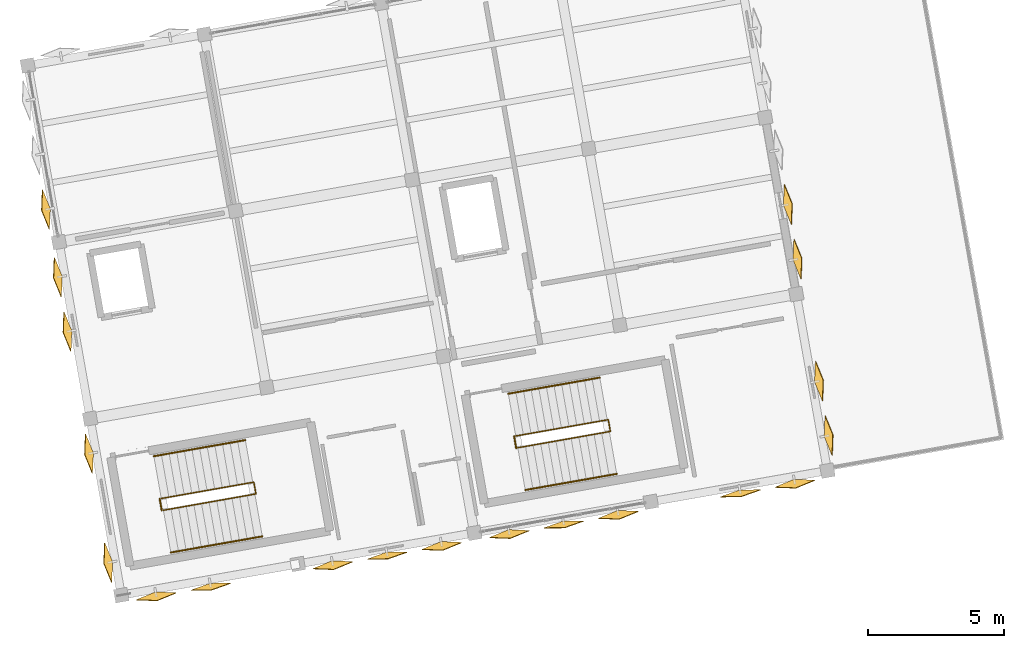
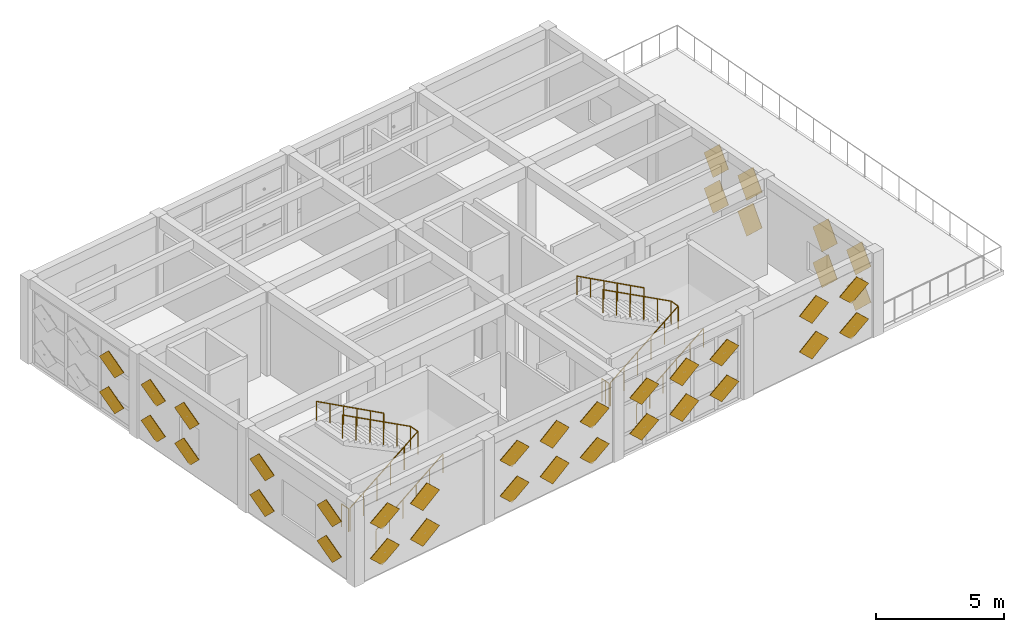
# One storey, part 12 of 13: 38 coverings, 8 railings.
"""IFC4 building model written with IfcOpenShell, lengths in metres."""

from ifc_helpers import new_model, si_unit, direction, frame, origin, origin_2d, place, context, subcontext, project, spatial, polyline, circle, outline, extrude, material, type_object, element, save


model = new_model("IFC4")

# Units and contexts
model_context = context("Model", 3, precision=1e-05, world=origin(), true_north=direction((0.0, 1.0)))
body_context = subcontext(model_context, "Body", "Model", "MODEL_VIEW")
ifc_project = project(units=[si_unit("LENGTHUNIT", "METRE"), si_unit("AREAUNIT", "SQUARE_METRE"), si_unit("VOLUMEUNIT", "CUBIC_METRE"), si_unit("PLANEANGLEUNIT", "RADIAN"), si_unit("MASSUNIT", "GRAM", prefix="KILO")], contexts=[model_context])

# Site, building, storey
site_placement = place(None, origin())
site = spatial("IfcSite", under=ifc_project, at=site_placement, CompositionType="ELEMENT")
building_placement = place(site_placement, origin())
building = spatial("IfcBuilding", under=site, at=building_placement, Name="Kharisveld Research Institute", CompositionType="ELEMENT")
storey_placement = place(building_placement, frame((0.0, 0.0, 45.0)))
storey = spatial("IfcBuildingStorey", under=building, at=storey_placement, Name="L10", CompositionType="ELEMENT", Elevation=45.0)

# Railings
ifc_material_1 = material(Name="Steel S355JR", Category="steel")
railing_type_1 = type_object("IfcRailingType", Name="RL_GRD_STR", PredefinedType="GUARDRAIL", material=ifc_material_1)
railing_1_placement = place(storey_placement, frame((6.75048828125, 38.13671875, 0.0)))
element("IfcRailing", 1, at=railing_1_placement, inside=storey, type_object=railing_type_1, Name="RLG:ST1:L10:GRD_SLOT", PredefinedType="GUARDRAIL", context=body_context, shape_type="SweptSolid", body=[
    extrude(circle(Radius=0.02392578125, at=origin_2d()), frame((0.0, 0.0, 1.09619140625), z_axis=(0.841870276676, 0.14844470523, 0.518862801459), x_axis=(-0.173648473997, 0.984807700761, 0.0)), (0.0, 0.0, 1.0), 4.047607421875),
    extrude(circle(Radius=0.02392578125, at=origin_2d()), frame((3.407470703125, 0.600830078125, 3.1962890625), z_axis=(-0.173658729201, 0.984805892434, 0.0), x_axis=(-0.984805892434, -0.173658729201, 0.0)), (0.0, 0.0, 1.0), 0.43994140625),
    extrude(circle(Radius=0.02392578125, at=origin_2d()), frame((3.3310546875, 1.0341796875, 3.1962890625), z_axis=(-0.841879057226, -0.148456890215, 0.518845068157), x_axis=(0.173660541335, -0.984805572884, 0.0)), (0.0, 0.0, 1.0), 4.047119140625),
    extrude(circle(Radius=0.02099609375, at=origin_2d()), origin(), (0.0, 0.0, 1.0), 1.072021484375),
    extrude(circle(Radius=0.02099609375, at=origin_2d()), frame((0.681396484375, 0.1201171875, 0.419921875)), (0.0, 0.0, 1.0), 1.072021484375),
    extrude(circle(Radius=0.02099609375, at=origin_2d()), frame((1.363037109375, 0.240234375, 0.840087890625)), (0.0, 0.0, 1.0), 1.072021484375),
    extrude(circle(Radius=0.02099609375, at=origin_2d()), frame((2.04443359375, 0.360595703125, 1.260009765625)), (0.0, 0.0, 1.0), 1.072021484375),
    extrude(circle(Radius=0.02099609375, at=origin_2d()), frame((2.72607421875, 0.480712890625, 1.68017578125)), (0.0, 0.0, 1.0), 1.072021484375),
    extrude(circle(Radius=0.02099609375, at=origin_2d()), frame((3.407470703125, 0.600830078125, 2.10009765625)), (0.0, 0.0, 1.0), 1.072021484375),
    extrude(circle(Radius=0.02099609375, at=origin_2d()), frame((3.3310546875, 1.0341796875, 2.10009765625)), (0.0, 0.0, 1.0), 1.072021484375),
    extrude(circle(Radius=0.02099609375, at=origin_2d()), frame((2.649658203125, 0.9140625, 2.52001953125)), (0.0, 0.0, 1.0), 1.072021484375),
    extrude(circle(Radius=0.02099609375, at=origin_2d()), frame((1.96826171875, 0.7939453125, 2.93994140625)), (0.0, 0.0, 1.0), 1.072021484375),
    extrude(circle(Radius=0.02099609375, at=origin_2d()), frame((1.28662109375, 0.673583984375, 3.360107421875)), (0.0, 0.0, 1.0), 1.072021484375),
    extrude(circle(Radius=0.02099609375, at=origin_2d()), frame((0.605224609375, 0.553466796875, 3.780029296875)), (0.0, 0.0, 1.0), 1.072021484375),
    extrude(circle(Radius=0.02099609375, at=origin_2d()), frame((-0.076171875, 0.433349609375, 4.199951171875)), (0.0, 0.0, 1.0), 1.072021484375),
])
railing_2_placement = place(storey_placement, frame((6.69140625, 38.12646484375, 0.0)))
element("IfcRailing", 2, at=railing_2_placement, inside=storey, type_object=railing_type_1, Name="RLG:ST1:L10:GRD_FLRSLOT", PredefinedType="GUARDRAIL", context=body_context, shape_type="SweptSolid", body=[
    extrude(circle(Radius=0.02392578125, at=origin_2d()), frame((0.0, 0.0, 1.09619140625), z_axis=(-0.173753665698, 0.984789146801, 0.0), x_axis=(-0.984789146801, -0.173753665698, 0.0)), (0.0, 0.0, 1.0), 0.439697265625),
    extrude(circle(Radius=0.02099609375, at=origin_2d()), origin(), (0.0, 0.0, 1.0), 1.072021484375),
    extrude(circle(Radius=0.02099609375, at=origin_2d()), frame((-0.076416015625, 0.43310546875, 0.0)), (0.0, 0.0, 1.0), 1.072021484375),
])
railing_3_placement = place(storey_placement, frame((19.79931640625, 40.4375, 0.0)))
element("IfcRailing", 3, at=railing_3_placement, inside=storey, type_object=railing_type_1, Name="RLG:ST2:L10:GRD_SLOT", PredefinedType="GUARDRAIL", context=body_context, shape_type="SweptSolid", body=[
    extrude(circle(Radius=0.02392578125, at=origin_2d()), frame((0.0, 0.0, 1.09619140625), z_axis=(0.841870276676, 0.14844470523, 0.518862801459), x_axis=(-0.173648473997, 0.984807700761, 0.0)), (0.0, 0.0, 1.0), 4.047607421875),
    extrude(circle(Radius=0.02392578125, at=origin_2d()), frame((3.407470703125, 0.600830078125, 3.1962890625), z_axis=(-0.173658729201, 0.984805892434, 0.0), x_axis=(-0.984805892434, -0.173658729201, 0.0)), (0.0, 0.0, 1.0), 0.43994140625),
    extrude(circle(Radius=0.02392578125, at=origin_2d()), frame((3.3310546875, 1.0341796875, 3.1962890625), z_axis=(-0.841896624573, -0.148449351084, 0.518818719492), x_axis=(0.173648473997, -0.984807700761, 0.0)), (0.0, 0.0, 1.0), 4.04736328125),
    extrude(circle(Radius=0.02099609375, at=origin_2d()), origin(), (0.0, 0.0, 1.0), 1.072021484375),
    extrude(circle(Radius=0.02099609375, at=origin_2d()), frame((0.681396484375, 0.1201171875, 0.419921875)), (0.0, 0.0, 1.0), 1.072021484375),
    extrude(circle(Radius=0.02099609375, at=origin_2d()), frame((1.363037109375, 0.240234375, 0.840087890625)), (0.0, 0.0, 1.0), 1.072021484375),
    extrude(circle(Radius=0.02099609375, at=origin_2d()), frame((2.04443359375, 0.360595703125, 1.260009765625)), (0.0, 0.0, 1.0), 1.072021484375),
    extrude(circle(Radius=0.02099609375, at=origin_2d()), frame((2.72607421875, 0.480712890625, 1.68017578125)), (0.0, 0.0, 1.0), 1.072021484375),
    extrude(circle(Radius=0.02099609375, at=origin_2d()), frame((3.407470703125, 0.600830078125, 2.10009765625)), (0.0, 0.0, 1.0), 1.072021484375),
    extrude(circle(Radius=0.02099609375, at=origin_2d()), frame((3.3310546875, 1.0341796875, 2.10009765625)), (0.0, 0.0, 1.0), 1.072021484375),
    extrude(circle(Radius=0.02099609375, at=origin_2d()), frame((2.649658203125, 0.9140625, 2.52001953125)), (0.0, 0.0, 1.0), 1.072021484375),
    extrude(circle(Radius=0.02099609375, at=origin_2d()), frame((1.968017578125, 0.7939453125, 2.93994140625)), (0.0, 0.0, 1.0), 1.072021484375),
    extrude(circle(Radius=0.02099609375, at=origin_2d()), frame((1.28662109375, 0.673583984375, 3.360107421875)), (0.0, 0.0, 1.0), 1.072021484375),
    extrude(circle(Radius=0.02099609375, at=origin_2d()), frame((0.60498046875, 0.553466796875, 3.780029296875)), (0.0, 0.0, 1.0), 1.072021484375),
    extrude(circle(Radius=0.02099609375, at=origin_2d()), frame((-0.076416015625, 0.433349609375, 4.199951171875)), (0.0, 0.0, 1.0), 1.072021484375),
])
railing_4_placement = place(storey_placement, frame((19.740234375, 40.42724609375, 0.0)))
element("IfcRailing", 4, at=railing_4_placement, inside=storey, type_object=railing_type_1, Name="RLG:ST2:L10:GRD_FLRSLOT", PredefinedType="GUARDRAIL", context=body_context, shape_type="SweptSolid", body=[
    extrude(circle(Radius=0.02392578125, at=origin_2d()), frame((0.0, 0.0, 1.09619140625), z_axis=(-0.173658729201, 0.984805892434, 0.0), x_axis=(-0.984805892434, -0.173658729201, 0.0)), (0.0, 0.0, 1.0), 0.43994140625),
    extrude(circle(Radius=0.02099609375, at=origin_2d()), origin(), (0.0, 0.0, 1.0), 1.072021484375),
    extrude(circle(Radius=0.02099609375, at=origin_2d()), frame((-0.0380859375, 0.216796875, 0.0)), (0.0, 0.0, 1.0), 1.072021484375),
    extrude(circle(Radius=0.02099609375, at=origin_2d()), frame((-0.076416015625, 0.433349609375, 0.0)), (0.0, 0.0, 1.0), 1.072021484375),
])
ifc_material_2 = material(Name="Stainless Steel 316", Category="steel")
railing_type_2 = type_object("IfcRailingType", Name="RL_HND_STR", PredefinedType="HANDRAIL", material=ifc_material_2)
railing_5_placement = place(storey_placement, frame((7.02490234375, 36.580810546875, 0.0)))
element("IfcRailing", 5, at=railing_5_placement, inside=storey, type_object=railing_type_2, Name="RLG:ST1:L10:HR1", PredefinedType="HANDRAIL", context=body_context, shape_type="SweptSolid", body=[
    extrude(circle(Radius=0.02392578125, at=origin_2d()), frame((0.0, 0.0, 0.89599609375), z_axis=(0.839227022115, 0.147941440837, 0.523269849538), x_axis=(-0.173606152129, 0.984815162324, 0.0)), (0.0, 0.0, 1.0), 4.013427734375),
    extrude(circle(Radius=0.02099609375, at=origin_2d()), origin(), (0.0, 0.0, 1.0), 0.871826171875),
    extrude(circle(Radius=0.02099609375, at=origin_2d()), frame((0.673583984375, 0.11865234375, 0.419921875)), (0.0, 0.0, 1.0), 0.871826171875),
    extrude(circle(Radius=0.02099609375, at=origin_2d()), frame((1.34716796875, 0.237548828125, 0.840087890625)), (0.0, 0.0, 1.0), 0.871826171875),
    extrude(circle(Radius=0.02099609375, at=origin_2d()), frame((2.02099609375, 0.356201171875, 1.260009765625)), (0.0, 0.0, 1.0), 0.871826171875),
    extrude(circle(Radius=0.02099609375, at=origin_2d()), frame((2.694580078125, 0.47509765625, 1.68017578125)), (0.0, 0.0, 1.0), 0.871826171875),
    extrude(circle(Radius=0.02099609375, at=origin_2d()), frame((3.3681640625, 0.59375, 2.10009765625)), (0.0, 0.0, 1.0), 0.871826171875),
])
railing_6_placement = place(storey_placement, frame((9.767822265625, 40.719970703125, 2.10009765625)))
element("IfcRailing", 6, at=railing_6_placement, inside=storey, type_object=railing_type_2, Name="RLG:ST1:L10:HR2", PredefinedType="HANDRAIL", context=body_context, shape_type="SweptSolid", body=[
    extrude(circle(Radius=0.02392578125, at=origin_2d()), frame((0.0, 0.0, 0.89599609375), z_axis=(-0.839228193129, -0.148013207241, 0.523247675905), x_axis=(0.173687593446, -0.984800802134, 0.0)), (0.0, 0.0, 1.0), 4.01318359375),
    extrude(circle(Radius=0.02099609375, at=origin_2d()), origin(), (0.0, 0.0, 1.0), 0.871826171875),
    extrude(circle(Radius=0.02099609375, at=origin_2d()), frame((-0.673583984375, -0.118896484375, 0.419921875)), (0.0, 0.0, 1.0), 0.871826171875),
    extrude(circle(Radius=0.02099609375, at=origin_2d()), frame((-1.34716796875, -0.237548828125, 0.83984375)), (0.0, 0.0, 1.0), 0.871826171875),
    extrude(circle(Radius=0.02099609375, at=origin_2d()), frame((-2.020751953125, -0.3564453125, 1.260009765625)), (0.0, 0.0, 1.0), 0.871826171875),
    extrude(circle(Radius=0.02099609375, at=origin_2d()), frame((-2.6943359375, -0.47509765625, 1.679931640625)), (0.0, 0.0, 1.0), 0.871826171875),
    extrude(circle(Radius=0.02099609375, at=origin_2d()), frame((-3.367919921875, -0.593994140625, 2.099853515625)), (0.0, 0.0, 1.0), 0.871826171875),
])
railing_7_placement = place(storey_placement, frame((20.07373046875, 38.881591796875, 0.0)))
element("IfcRailing", 7, at=railing_7_placement, inside=storey, type_object=railing_type_2, Name="RLG:ST2:L10:HR1", PredefinedType="HANDRAIL", context=body_context, shape_type="SweptSolid", body=[
    extrude(circle(Radius=0.02392578125, at=origin_2d()), frame((0.0, 0.0, 0.89599609375), z_axis=(0.839201478433, 0.148008495616, 0.523291853387), x_axis=(-0.173687593446, 0.984800802134, 0.0)), (0.0, 0.0, 1.0), 4.01318359375),
    extrude(circle(Radius=0.02099609375, at=origin_2d()), origin(), (0.0, 0.0, 1.0), 0.871826171875),
    extrude(circle(Radius=0.02099609375, at=origin_2d()), frame((0.673583984375, 0.118896484375, 0.419921875)), (0.0, 0.0, 1.0), 0.871826171875),
    extrude(circle(Radius=0.02099609375, at=origin_2d()), frame((1.34716796875, 0.237548828125, 0.840087890625)), (0.0, 0.0, 1.0), 0.871826171875),
    extrude(circle(Radius=0.02099609375, at=origin_2d()), frame((2.020751953125, 0.3564453125, 1.260009765625)), (0.0, 0.0, 1.0), 0.871826171875),
    extrude(circle(Radius=0.02099609375, at=origin_2d()), frame((2.6943359375, 0.47509765625, 1.68017578125)), (0.0, 0.0, 1.0), 0.871826171875),
    extrude(circle(Radius=0.02099609375, at=origin_2d()), frame((3.367919921875, 0.593994140625, 2.10009765625)), (0.0, 0.0, 1.0), 0.871826171875),
])
railing_8_placement = place(storey_placement, frame((22.816650390625, 43.020751953125, 2.10009765625)))
element("IfcRailing", 8, at=railing_8_placement, inside=storey, type_object=railing_type_2, Name="RLG:ST2:L10:HR2", PredefinedType="HANDRAIL", context=body_context, shape_type="SweptSolid", body=[
    extrude(circle(Radius=0.02392578125, at=origin_2d()), frame((0.0, 0.0, 0.89599609375), z_axis=(-0.839253735377, -0.14794614993, 0.523225672512), x_axis=(0.173606152129, -0.984815162324, 0.0)), (0.0, 0.0, 1.0), 4.01318359375),
    extrude(circle(Radius=0.02099609375, at=origin_2d()), origin(), (0.0, 0.0, 1.0), 0.871826171875),
    extrude(circle(Radius=0.02099609375, at=origin_2d()), frame((-0.673583984375, -0.11865234375, 0.419921875)), (0.0, 0.0, 1.0), 0.871826171875),
    extrude(circle(Radius=0.02099609375, at=origin_2d()), frame((-1.34716796875, -0.237548828125, 0.83984375)), (0.0, 0.0, 1.0), 0.871826171875),
    extrude(circle(Radius=0.02099609375, at=origin_2d()), frame((-2.02099609375, -0.356201171875, 1.260009765625)), (0.0, 0.0, 1.0), 0.871826171875),
    extrude(circle(Radius=0.02099609375, at=origin_2d()), frame((-2.694580078125, -0.47509765625, 1.679931640625)), (0.0, 0.0, 1.0), 0.871826171875),
    extrude(circle(Radius=0.02099609375, at=origin_2d()), frame((-3.3681640625, -0.59375, 2.099853515625)), (0.0, 0.0, 1.0), 0.871826171875),
])

# Coverings
ifc_material_3 = material(Name="White Powder-Coated Perforated Aluminium", Category="aluminium")
covering_type = type_object("IfcCoveringType", Name="CV_DIA_105", PredefinedType="CLADDING")
for number, where, z_axis, x_axis, name in (
    (9, (4.8828125, 36.23681640625, 0.3251953125), (0.961487125864, 0.169504241221, 0.216358080518), (-0.27342850239, 0.669853329409, 0.690313965642), "SHD:V1:L10:W0:S0C0"),
    (10, (4.8828125, 36.23681640625, 2.025146484375), (0.961487125864, 0.169504241221, 0.216358080518), (-0.27342850239, 0.669853329409, 0.690313965642), "SHD:V1:L10:W0:S0C1"),
):
    element("IfcCovering", number, at=place(storey_placement, frame(where, z_axis=z_axis, x_axis=x_axis)), inside=storey, type_object=covering_type, material=ifc_material_3, Name=name, PredefinedType="CLADDING", context=body_context, shape_type="SweptSolid", body=[
        extrude(outline(polyline([(0.0, 0.0), (1.0500345519602505, 0.0), (1.0499807392517624, 1.0499534878027108), (-5.381270848814346e-05, 1.049953487802711), (0.0, 0.0)])), origin(), (0.0, 0.0, -1.0), 0.02392578125),
    ])
for number, where, z_axis, x_axis, name in (
    (11, (4.175537109375, 40.248291015625, 0.3251953125), (0.961453431325, 0.169498301082, 0.216512413788), (-0.273535968092, 0.669834388355, 0.690289769834), "SHD:V1:L10:W0:S2C0"),
    (12, (4.175537109375, 40.248291015625, 2.025146484375), (0.961453431325, 0.169498301082, 0.216512413788), (-0.273535968092, 0.669834388355, 0.690289769834), "SHD:V1:L10:W0:S2C1"),
):
    element("IfcCovering", number, at=place(storey_placement, frame(where, z_axis=z_axis, x_axis=x_axis)), inside=storey, type_object=covering_type, material=ifc_material_3, Name=name, PredefinedType="CLADDING", context=body_context, shape_type="SweptSolid", body=[
        extrude(outline(polyline([(0.0, 0.0), (1.0500345454011688, 0.0), (1.0500475008163912, 1.049960323165551), (-5.3825826987430325e-05, 1.0499534812424507), (0.0, 0.0)])), origin(), (0.0, 0.0, -1.0), 0.02392578125),
    ])
for number, where, z_axis, x_axis, name in (
    (13, (3.383056640625, 44.742431640625, 0.3251953125), (0.961481187298, 0.169503194288, 0.216385289699), (-0.273452141042, 0.669728459805, 0.690425750307), "SHD:V1:L10:W1:S1C0"),
    (14, (3.383056640625, 44.742431640625, 2.025146484375), (0.961481187298, 0.169503194288, 0.216385289699), (-0.273452141042, 0.669728459805, 0.690425750307), "SHD:V1:L10:W1:S1C1"),
):
    element("IfcCovering", number, at=place(storey_placement, frame(where, z_axis=z_axis, x_axis=x_axis)), inside=storey, type_object=covering_type, material=ifc_material_3, Name=name, PredefinedType="CLADDING", context=body_context, shape_type="SweptSolid", body=[
        extrude(outline(polyline([(0.0, 0.0), (1.0498710289953155, -1.1102230246251565e-16), (1.0499937165082887, 1.0499534818098035), (-4.082041178410378e-05, 1.0501299960653954), (0.0, 0.0)])), origin(), (0.0, 0.0, -1.0), 0.02392578125),
    ])
for number, where, z_axis, x_axis, name in (
    (15, (3.029541015625, 46.748046875, 0.3251953125), (0.961453431325, 0.169498301082, 0.216512413788), (-0.273536150679, 0.669829678259, 0.690294267972), "SHD:V1:L10:W1:S2C0"),
    (16, (3.029541015625, 46.748046875, 2.025146484375), (0.961453431325, 0.169498301082, 0.216512413788), (-0.273536150679, 0.669829678259, 0.690294267972), "SHD:V1:L10:W1:S2C1"),
):
    element("IfcCovering", number, at=place(storey_placement, frame(where, z_axis=z_axis, x_axis=x_axis)), inside=storey, type_object=covering_type, material=ifc_material_3, Name=name, PredefinedType="CLADDING", context=body_context, shape_type="SweptSolid", body=[
        extrude(outline(polyline([(0.0, 0.0), (1.050101326665668, -1.1102230246251565e-16), (1.050054341798497, 1.049953481570866), (1.9796419616024963e-05, 1.0499603230588543), (0.0, 0.0)])), origin(), (0.0, 0.0, -1.0), 0.02392578125),
    ])
for number, where, z_axis, x_axis, name in (
    (17, (2.590576171875, 49.236328125, 0.3251953125), (0.961487125864, 0.169504241221, 0.216358080518), (-0.27342850239, 0.669853329409, 0.690313965642), "SHD:V1:L10:W2:S0C0"),
    (18, (2.590576171875, 49.236328125, 2.025146484375), (0.961487125864, 0.169504241221, 0.216358080518), (-0.27342850239, 0.669853329409, 0.690313965642), "SHD:V1:L10:W2:S0C1"),
):
    element("IfcCovering", number, at=place(storey_placement, frame(where, z_axis=z_axis, x_axis=x_axis)), inside=storey, type_object=covering_type, material=ifc_material_3, Name=name, PredefinedType="CLADDING", context=body_context, shape_type="SweptSolid", body=[
        extrude(outline(polyline([(0.0, 0.0), (1.0500345519602505, 0.0), (1.0499807392517624, 1.0499534878027108), (-5.381270848814346e-05, 1.049953487802711), (0.0, 0.0)])), origin(), (0.0, 0.0, -1.0), 0.02392578125),
    ])
for number, where, z_axis, x_axis, name in (
    (19, (29.57763671875, 49.361083984375, 0.3251953125), (-0.961481187298, -0.169503194288, 0.216385289699), (0.273452141042, -0.669728459805, 0.690425750307), "SHD:V1:L10:E2:S1C0"),
    (20, (29.57763671875, 49.361083984375, 2.025146484375), (-0.961481187298, -0.169503194288, 0.216385289699), (0.273452141042, -0.669728459805, 0.690425750307), "SHD:V1:L10:E2:S1C1"),
):
    element("IfcCovering", number, at=place(storey_placement, frame(where, z_axis=z_axis, x_axis=x_axis)), inside=storey, type_object=covering_type, material=ifc_material_3, Name=name, PredefinedType="CLADDING", context=body_context, shape_type="SweptSolid", body=[
        extrude(outline(polyline([(0.0, 0.0), (1.0498710289953155, -1.1102230246251565e-16), (1.0499937165082887, 1.0499534818098035), (-4.082041178410378e-05, 1.0501299960653954), (0.0, 0.0)])), origin(), (0.0, 0.0, -1.0), 0.02392578125),
    ])
for number, where, z_axis, x_axis, name in (
    (21, (29.93115234375, 47.35546875, 0.3251953125), (-0.961453431325, -0.169498301082, 0.216512413788), (0.273536150679, -0.669829678259, 0.690294267972), "SHD:V1:L10:E2:S2C0"),
    (22, (29.93115234375, 47.35546875, 2.025146484375), (-0.961453431325, -0.169498301082, 0.216512413788), (0.273536150679, -0.669829678259, 0.690294267972), "SHD:V1:L10:E2:S2C1"),
):
    element("IfcCovering", number, at=place(storey_placement, frame(where, z_axis=z_axis, x_axis=x_axis)), inside=storey, type_object=covering_type, material=ifc_material_3, Name=name, PredefinedType="CLADDING", context=body_context, shape_type="SweptSolid", body=[
        extrude(outline(polyline([(0.0, 0.0), (1.050101326665668, -1.1102230246251565e-16), (1.050054341798497, 1.049953481570866), (1.9796419616024963e-05, 1.0499603230588543), (0.0, 0.0)])), origin(), (0.0, 0.0, -1.0), 0.02392578125),
    ])
for number, where, z_axis, x_axis, name in (
    (23, (30.7236328125, 42.861328125, 0.3251953125), (-0.961447488939, -0.169497253476, 0.216539620108), (0.273559622879, -0.669709514325, 0.690401549211), "SHD:V1:L10:E1:S1C0"),
    (24, (30.7236328125, 42.861328125, 2.025146484375), (-0.961447488939, -0.169497253476, 0.216539620108), (0.273559622879, -0.669709514325, 0.690401549211), "SHD:V1:L10:E1:S1C1"),
):
    element("IfcCovering", number, at=place(storey_placement, frame(where, z_axis=z_axis, x_axis=x_axis)), inside=storey, type_object=covering_type, material=ifc_material_3, Name=name, PredefinedType="CLADDING", context=body_context, shape_type="SweptSolid", body=[
        extrude(outline(polyline([(0.0, 0.0), (1.0498710247482905, 1.1102230246251565e-16), (1.0500604861589913, 1.0499603082606803), (-4.0828905999434895e-05, 1.0501299918190874), (0.0, 0.0)])), origin(), (0.0, 0.0, -1.0), 0.02392578125),
    ])
for number, where, z_axis, x_axis, name in (
    (25, (31.077392578125, 40.855712890625, 0.3251953125), (-0.961481187298, -0.169503194288, 0.216385289699), (0.273447448775, -0.669849989418, 0.690309701826), "SHD:V1:L10:E1:S2C0"),
    (26, (31.077392578125, 40.855712890625, 2.025146484375), (-0.961481187298, -0.169503194288, 0.216385289699), (0.273447448775, -0.669849989418, 0.690309701826), "SHD:V1:L10:E1:S2C1"),
):
    element("IfcCovering", number, at=place(storey_placement, frame(where, z_axis=z_axis, x_axis=x_axis)), inside=storey, type_object=covering_type, material=ifc_material_3, Name=name, PredefinedType="CLADDING", context=body_context, shape_type="SweptSolid", body=[
        extrude(outline(polyline([(0.0, 0.0), (1.0500345517563856, -1.1102230246251565e-16), (1.0498172010450848, 1.0501299743656882), (-5.381311622809637e-05, 1.0499534875988095), (0.0, 0.0)])), origin(), (0.0, 0.0, -1.0), 0.02392578125),
    ])
for number, where, z_axis, x_axis, name in (
    (27, (29.971923828125, 39.277099609375, 0.3251953125), (-0.169503194288, 0.961481187298, 0.216385289699), (-0.669728459805, -0.273452141042, 0.690425750307), "SHD:V1:L10:S4:S0C0"),
    (28, (29.971923828125, 39.277099609375, 2.025146484375), (-0.169503194288, 0.961481187298, 0.216385289699), (-0.669728459805, -0.273452141042, 0.690425750307), "SHD:V1:L10:S4:S0C1"),
):
    element("IfcCovering", number, at=place(storey_placement, frame(where, z_axis=z_axis, x_axis=x_axis)), inside=storey, type_object=covering_type, material=ifc_material_3, Name=name, PredefinedType="CLADDING", context=body_context, shape_type="SweptSolid", body=[
        extrude(outline(polyline([(0.0, 0.0), (1.0498710289953155, -1.1102230246251565e-16), (1.0499937165082887, 1.0499534818098035), (-4.082041178410378e-05, 1.0501299960653954), (0.0, 0.0)])), origin(), (0.0, 0.0, -1.0), 0.02392578125),
    ])
covering_1_placement = place(storey_placement, frame((27.972900390625, 38.885986328125, 0.317626953125), z_axis=(-0.171234061711, 0.9712992705, 0.165095800177), x_axis=(-0.676057632461, -0.237732410628, 0.697444892825)))
element("IfcCovering", 29, at=covering_1_placement, inside=storey, type_object=covering_type, material=ifc_material_3, Name="SHD:V1:L10:S4:S1C0", PredefinedType="CLADDING", context=body_context, shape_type="SweptSolid", body=[
    extrude(outline(polyline([(0.0, 0.0), (1.050173469176079, 1.1102230246251565e-16), (1.0501599702440891, 1.049914852574201), (0.0002148158393612265, 1.050083199772804), (0.0, 0.0)])), origin(), (0.0, 0.0, -1.0), 0.02392578125),
])
covering_2_placement = place(storey_placement, frame((27.972900390625, 38.885986328125, 2.017822265625), z_axis=(-0.171233283515, 0.971294856301, 0.165122574894), x_axis=(-0.67617054184, -0.237752317325, 0.697328641284)))
element("IfcCovering", 30, at=covering_2_placement, inside=storey, type_object=covering_type, material=ifc_material_3, Name="SHD:V1:L10:S4:S1C1", PredefinedType="CLADDING", context=body_context, shape_type="SweptSolid", body=[
    extrude(outline(polyline([(0.0, 0.0), (1.0500032108163153, 0.0), (1.0498194721618133, 1.0499148345011098), (-0.0001256936551553567, 1.0499129412266959), (0.0, 0.0)])), origin(), (0.0, 0.0, -1.0), 0.02392578125),
])
for number, where, z_axis, x_axis, name in (
    (31, (23.472412109375, 38.131103515625, 0.3251953125), (-0.169498301082, 0.961453431325, 0.216512413788), (-0.669834388355, -0.273535968092, 0.690289769834), "SHD:V1:L10:S3:S0C0"),
    (32, (23.472412109375, 38.131103515625, 2.025146484375), (-0.169498301082, 0.961453431325, 0.216512413788), (-0.669834388355, -0.273535968092, 0.690289769834), "SHD:V1:L10:S3:S0C1"),
):
    element("IfcCovering", number, at=place(storey_placement, frame(where, z_axis=z_axis, x_axis=x_axis)), inside=storey, type_object=covering_type, material=ifc_material_3, Name=name, PredefinedType="CLADDING", context=body_context, shape_type="SweptSolid", body=[
        extrude(outline(polyline([(0.0, 0.0), (1.0500345454011688, 0.0), (1.0500475008163912, 1.049960323165551), (-5.3825826987430325e-05, 1.0499534812424507), (0.0, 0.0)])), origin(), (0.0, 0.0, -1.0), 0.02392578125),
    ])
covering_3_placement = place(storey_placement, frame((21.47314453125, 37.73974609375, 0.317626953125), z_axis=(-0.171237830585, 0.971320648866, 0.164966064583), x_axis=(-0.676072253132, -0.237642047114, 0.697461515776)))
element("IfcCovering", 33, at=covering_3_placement, inside=storey, type_object=covering_type, material=ifc_material_3, Name="SHD:V1:L10:S3:S1C0", PredefinedType="CLADDING", context=body_context, shape_type="SweptSolid", body=[
    extrude(outline(polyline([(0.0, 0.0), (1.0501154373989794, 0.0), (1.0499388016086548, 1.0500898234312432), (0.00015869960247516524, 1.0500851150823278), (0.0, 0.0)])), origin(), (0.0, 0.0, -1.0), 0.02392578125),
])
covering_4_placement = place(storey_placement, frame((21.47314453125, 37.73974609375, 2.017822265625), z_axis=(-0.171237053594, 0.971316241505, 0.164992819437), x_axis=(-0.676185173155, -0.23766195485, 0.697345256542)))
element("IfcCovering", 34, at=covering_4_placement, inside=storey, type_object=covering_type, material=ifc_material_3, Name="SHD:V1:L10:S3:S1C1", PredefinedType="CLADDING", context=body_context, shape_type="SweptSolid", body=[
    extrude(outline(polyline([(0.0, 0.0), (1.0499451723052171, 1.1102230246251565e-16), (1.0495982555738521, 1.0500897815759536), (-0.0001818324605752375, 1.0499148413196988), (0.0, 0.0)])), origin(), (0.0, 0.0, -1.0), 0.02392578125),
])
for number, where, z_axis, x_axis, name in (
    (35, (19.4609375, 37.423828125, 0.3251953125), (-0.169498301082, 0.961453431325, 0.216512413788), (-0.669829678259, -0.273536150679, 0.690294267972), "SHD:V1:L10:S3:S2C0"),
    (36, (19.4609375, 37.423828125, 2.025146484375), (-0.169498301082, 0.961453431325, 0.216512413788), (-0.669829678259, -0.273536150679, 0.690294267972), "SHD:V1:L10:S3:S2C1"),
    (37, (16.97265625, 36.985107421875, 0.3251953125), (-0.169498301082, 0.961453431325, 0.216512413788), (-0.669829678259, -0.273536150679, 0.690294267972), "SHD:V1:L10:S2:S0C0"),
    (38, (16.97265625, 36.985107421875, 2.025146484375), (-0.169498301082, 0.961453431325, 0.216512413788), (-0.669829678259, -0.273536150679, 0.690294267972), "SHD:V1:L10:S2:S0C1"),
):
    element("IfcCovering", number, at=place(storey_placement, frame(where, z_axis=z_axis, x_axis=x_axis)), inside=storey, type_object=covering_type, material=ifc_material_3, Name=name, PredefinedType="CLADDING", context=body_context, shape_type="SweptSolid", body=[
        extrude(outline(polyline([(0.0, 0.0), (1.050101326665668, -1.1102230246251565e-16), (1.050054341798497, 1.049953481570866), (1.9796419616024963e-05, 1.0499603230588543), (0.0, 0.0)])), origin(), (0.0, 0.0, -1.0), 0.02392578125),
    ])
covering_5_placement = place(storey_placement, frame((14.973388671875, 36.59375, 0.317626953125), z_axis=(-0.171260983897, 0.971289803558, 0.165123568578), x_axis=(-0.675930071115, -0.237769766688, 0.697555787741)))
element("IfcCovering", 39, at=covering_5_placement, inside=storey, type_object=covering_type, material=ifc_material_3, Name="SHD:V1:L10:S2:S1C0", PredefinedType="CLADDING", context=body_context, shape_type="SweptSolid", body=[
    extrude(outline(polyline([(0.0, 0.0), (1.0499503861110382, 2.220446049250313e-16), (1.0501718035814118, 1.0499129229334039), (0.0003336699169195212, 1.0500850657008003), (0.0, 0.0)])), origin(), (0.0, 0.0, -1.0), 0.02392578125),
])
covering_6_placement = place(storey_placement, frame((14.973388671875, 36.59375, 2.017822265625), z_axis=(-0.171260205316, 0.971285387917, 0.165150347546), x_axis=(-0.676043005588, -0.237789685889, 0.697439545681)))
element("IfcCovering", 40, at=covering_6_placement, inside=storey, type_object=covering_type, material=ifc_material_3, Name="SHD:V1:L10:S2:S1C1", PredefinedType="CLADDING", context=body_context, shape_type="SweptSolid", body=[
    extrude(outline(polyline([(0.0, 0.0), (1.049780096123427, 0.0), (1.0498312666903167, 1.0499129475037603), (-6.883555641823413e-06, 1.0499148505561187), (0.0, 0.0)])), origin(), (0.0, 0.0, -1.0), 0.02392578125),
])
for number, where, z_axis, x_axis, name in (
    (41, (12.961181640625, 36.277587890625, 0.3251953125), (-0.169504241221, 0.961487125864, 0.216358080518), (-0.669853329409, -0.27342850239, 0.690313965642), "SHD:V1:L10:S2:S2C0"),
    (42, (12.961181640625, 36.277587890625, 2.025146484375), (-0.169504241221, 0.961487125864, 0.216358080518), (-0.669853329409, -0.27342850239, 0.690313965642), "SHD:V1:L10:S2:S2C1"),
):
    element("IfcCovering", number, at=place(storey_placement, frame(where, z_axis=z_axis, x_axis=x_axis)), inside=storey, type_object=covering_type, material=ifc_material_3, Name=name, PredefinedType="CLADDING", context=body_context, shape_type="SweptSolid", body=[
        extrude(outline(polyline([(0.0, 0.0), (1.0500345519602505, 0.0), (1.0499807392517624, 1.0499534878027108), (-5.381270848814346e-05, 1.049953487802711), (0.0, 0.0)])), origin(), (0.0, 0.0, -1.0), 0.02392578125),
    ])
covering_7_placement = place(storey_placement, frame((8.4736328125, 35.44775390625, 0.317626953125), z_axis=(-0.171233254714, 0.971294692931, 0.165123565742), x_axis=(-0.6759347874, -0.23775044496, 0.697557803414)))
element("IfcCovering", 43, at=covering_7_placement, inside=storey, type_object=covering_type, material=ifc_material_3, Name="SHD:V1:L10:S1:S1C0", PredefinedType="CLADDING", context=body_context, shape_type="SweptSolid", body=[
    extrude(outline(polyline([(0.0, 0.0), (1.0500084332050879, 2.220446049250313e-16), (1.0501698889036777, 1.049914838079754), (0.00022477929746034242, 1.0502581492900183), (0.0, 0.0)])), origin(), (0.0, 0.0, -1.0), 0.02392578125),
])
covering_8_placement = place(storey_placement, frame((8.4736328125, 35.44775390625, 2.017822265625), z_axis=(-0.17123247626, 0.971290277269, 0.165150344709), x_axis=(-0.676047712606, -0.237770360991, 0.697441571541)))
element("IfcCovering", 44, at=covering_8_placement, inside=storey, type_object=covering_type, material=ifc_material_3, Name="SHD:V1:L10:S1:S1C1", PredefinedType="CLADDING", context=body_context, shape_type="SweptSolid", body=[
    extrude(outline(polyline([(0.0, 0.0), (1.0498381476788738, -2.220446049250313e-16), (1.0498293660694356, 1.0499148479733371), (-0.00011578291598501878, 1.0500879219332775), (0.0, 0.0)])), origin(), (0.0, 0.0, -1.0), 0.02392578125),
])
for number, where, z_axis, x_axis, name in (
    (45, (6.46142578125, 35.131591796875, 0.3251953125), (-0.169504241221, 0.961487125864, 0.216358080518), (-0.669853329409, -0.27342850239, 0.690313965642), "SHD:V1:L10:S1:S2C0"),
    (46, (6.46142578125, 35.131591796875, 2.025146484375), (-0.169504241221, 0.961487125864, 0.216358080518), (-0.669853329409, -0.27342850239, 0.690313965642), "SHD:V1:L10:S1:S2C1"),
):
    element("IfcCovering", number, at=place(storey_placement, frame(where, z_axis=z_axis, x_axis=x_axis)), inside=storey, type_object=covering_type, material=ifc_material_3, Name=name, PredefinedType="CLADDING", context=body_context, shape_type="SweptSolid", body=[
        extrude(outline(polyline([(0.0, 0.0), (1.0500345519602505, 0.0), (1.0499807392517624, 1.0499534878027108), (-5.381270848814346e-05, 1.049953487802711), (0.0, 0.0)])), origin(), (0.0, 0.0, -1.0), 0.02392578125),
    ])

save(model, "model.ifc")
